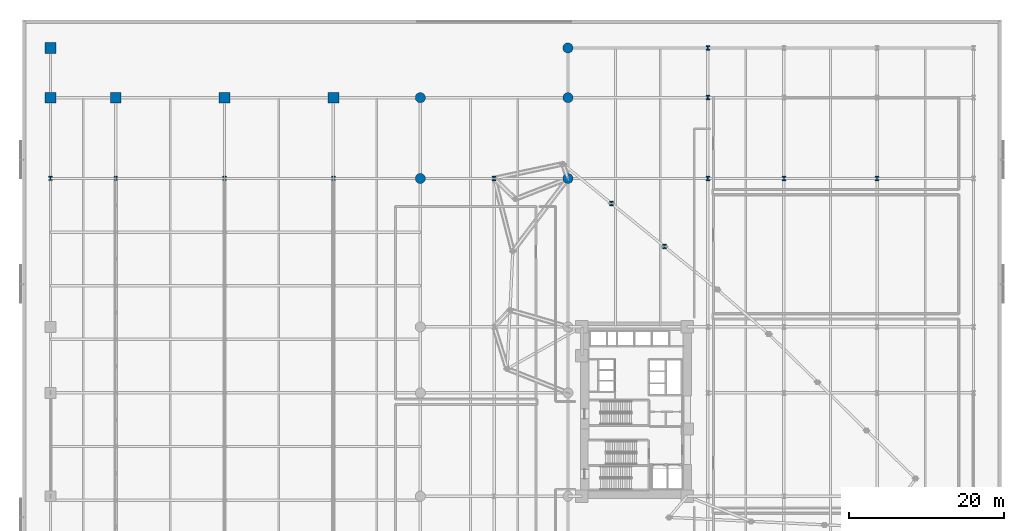
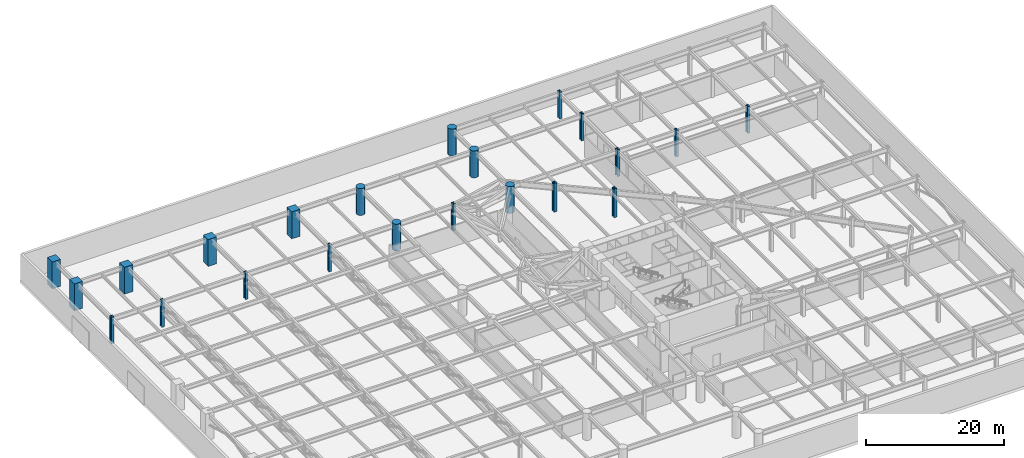
# One storey, part 3 of 40: 22 columns.
"""IFC4 building model written with IfcOpenShell, lengths in metres."""

from ifc_helpers import new_model, si_unit, direction, frame, origin, origin_2d, place, context, subcontext, project, spatial, rectangle, circle, i_section, extrude, material, material_profile, profile_set, type_object, element, save


model = new_model("IFC4")

# Units and contexts
model_context = context("Model", 3, precision=1e-05, world=origin(), true_north=direction((0.0, 1.0)))
body_context = subcontext(model_context, "Body", "Model", "MODEL_VIEW")
ifc_project = project(units=[si_unit("LENGTHUNIT", "METRE"), si_unit("AREAUNIT", "SQUARE_METRE"), si_unit("VOLUMEUNIT", "CUBIC_METRE"), si_unit("PLANEANGLEUNIT", "RADIAN"), si_unit("MASSUNIT", "GRAM", prefix="KILO")], contexts=[model_context])

# Site, building, storey
site_placement = place(None, origin())
site = spatial("IfcSite", under=ifc_project, at=site_placement, CompositionType="ELEMENT")
building_placement = place(site_placement, origin())
building = spatial("IfcBuilding", under=site, at=building_placement, Name="Narakoshi Arena Tower", CompositionType="ELEMENT")
storey_placement = place(building_placement, frame((0.0, 0.0, 21.60009765625)))
storey = spatial("IfcBuildingStorey", under=building, at=storey_placement, Name="L05", CompositionType="ELEMENT", Elevation=21.60009765625)

# Columns
ifc_material_1 = material(Name="Concrete C60/75", Category="concrete")
ifc_material_profile_1 = material_profile(ifc_material_1, circle(Radius=0.64990234375, at=origin_2d()), Name="RCC1300")
ifc_profile_set_1 = profile_set([ifc_material_profile_1], Name="Concrete C60/75")
column_type_1 = type_object("IfcColumnType", Name="COL-CIR1300", PredefinedType="PILASTER", material=ifc_profile_set_1)
for number, where, z_axis, x_axis, name in (
    (1, (51.199951171875, 75.60009765625, 0.0), (0.0, 0.0, 1.0), (1.0, 0.0, 0.0), "L05 Podium Column PC27"),
    (2, (51.199951171875, 86.0, 0.0), (0.0, 0.0, 1.0), (1.0, 0.0, 0.0), "L05 Podium Column PC28"),
    (3, (70.199951171875, 75.60009765625, 0.0), (0.0, 0.0, 1.0), (1.0, 0.0, 0.0), "L05 Podium Column PC39"),
    (4, (70.199951171875, 86.0, 0.0), (0.0, 0.0, 1.0), (1.0, 0.0, 0.0), "L05 Podium Column PC40"),
    (5, (70.199951171875, 92.39990234375, 0.0), (0.0, 0.0, 1.0), (1.0, 0.0, 0.0), "L05 Podium Column PC41"),
):
    element("IfcColumn", number, at=place(storey_placement, frame(where, z_axis=z_axis, x_axis=x_axis)), inside=storey, type_object=column_type_1, Name=name, PredefinedType="PILASTER", context=body_context, shape_type="SweptSolid", body=[
        extrude(circle(Radius=0.64990234375, at=origin_2d()), origin(), (0.0, 0.0, 1.0), 4.75),
    ])
ifc_material_profile_2 = material_profile(ifc_material_1, rectangle(XDim=1.39990234375, YDim=1.39990234375, at=origin_2d()), Name="RC1400x1400")
ifc_profile_set_2 = profile_set([ifc_material_profile_2], Name="Concrete C60/75")
column_type_2 = type_object("IfcColumnType", Name="COL-RC1400", PredefinedType="COLUMN", material=ifc_profile_set_2)
for number, where, z_axis, x_axis, name in (
    (6, (3.60009765625, 86.0, 0.0), (0.0, 0.0, 1.0), (1.0, 0.0, 0.0), "L05 Podium Column PC08"),
    (7, (3.60009765625, 92.39990234375, 0.0), (0.0, 0.0, 1.0), (1.0, 0.0, 0.0), "L05 Podium Column PC09"),
    (8, (12.0, 86.0, 0.0), (0.0, 0.0, 1.0), (1.0, 0.0, 0.0), "L05 Podium Column PC13"),
    (9, (26.0, 86.0, 0.0), (0.0, 0.0, 1.0), (1.0, 0.0, 0.0), "L05 Podium Column PC17"),
    (10, (40.0, 86.0, 0.0), (0.0, 0.0, 1.0), (1.0, 0.0, 0.0), "L05 Podium Column PC21"),
):
    element("IfcColumn", number, at=place(storey_placement, frame(where, z_axis=z_axis, x_axis=x_axis)), inside=storey, type_object=column_type_2, Name=name, PredefinedType="COLUMN", context=body_context, shape_type="SweptSolid", body=[
        extrude(rectangle(XDim=1.39990234375, YDim=1.39990234375, at=origin_2d()), origin(), (0.0, 0.0, 1.0), 4.75),
    ])
ifc_material_2 = material(Name="Structural steel S355J2", Category="steel")
ifc_material_profile_3 = material_profile(ifc_material_2, i_section(OverallWidth=0.4541015625, OverallDepth=0.569091796875, WebThickness=0.077880859375, FlangeThickness=0.125, FilletRadius=0.014892578125, at=origin_2d()), Name="HD400x1086")
ifc_profile_set_3 = profile_set([ifc_material_profile_3], Name="Structural steel S355J2")
column_type_3 = type_object("IfcColumnType", Name="COL-STL1086", PredefinedType="COLUMN", material=ifc_profile_set_3)
for number, where, z_axis, x_axis, name in (
    (11, (60.699951171875, 75.60009765625, 0.0), (0.0, 0.0, 1.0), (1.0, 0.0, 0.0), "L05 Podium Column PC32"),
    (12, (88.199951171875, 75.60009765625, 0.0), (0.0, 0.0, 1.0), (1.0, 0.0, 0.0), "L05 Podium Column PC48"),
    (13, (88.199951171875, 86.0, 0.0), (0.0, 0.0, 1.0), (1.0, 0.0, 0.0), "L05 Podium Column PC49"),
    (14, (88.199951171875, 92.39990234375, 0.0), (0.0, 0.0, 1.0), (1.0, 0.0, 0.0), "L05 Podium Column PC50"),
    (15, (98.0, 75.60009765625, 0.0), (0.0, 0.0, 1.0), (1.0, 0.0, 0.0), "L05 Podium Column PC57"),
    (16, (110.0, 75.60009765625, 0.0), (0.0, 0.0, 1.0), (1.0, 0.0, 0.0), "L05 Podium Column PC66"),
):
    element("IfcColumn", number, at=place(storey_placement, frame(where, z_axis=z_axis, x_axis=x_axis)), inside=storey, type_object=column_type_3, Name=name, PredefinedType="COLUMN", context=body_context, shape_type="SweptSolid", body=[
        extrude(i_section(OverallWidth=0.4541015625, OverallDepth=0.569091796875, WebThickness=0.077880859375, FlangeThickness=0.125, FilletRadius=0.014892578125, at=origin_2d()), origin(), (0.0, 0.0, 1.0), 4.75),
    ])
for number, where, z_axis, x_axis, name in (
    (17, (82.626953125, 66.838623046875, 0.0), (0.0, 0.0, 1.0), (1.0, 0.0, 0.0), "L05 Tower Plumb Pier B1P10"),
    (18, (75.794189453125, 72.392333984375, 0.0), (0.0, 0.0, 1.0), (1.0, 0.0, 0.0), "L05 Tower Plumb Pier B1P11"),
):
    element("IfcColumn", number, at=place(storey_placement, frame(where, z_axis=z_axis, x_axis=x_axis)), inside=storey, type_object=column_type_3, Name=name, PredefinedType="COLUMN", context=body_context, shape_type="SweptSolid", body=[
        extrude(i_section(OverallWidth=0.4541015625, OverallDepth=0.569091796875, WebThickness=0.077880859375, FlangeThickness=0.125, FilletRadius=0.014892578125, at=origin_2d()), origin(), (0.0, 0.0, 1.0), 5.099853515625),
    ])
ifc_material_profile_4 = material_profile(ifc_material_2, i_section(OverallWidth=0.43701171875, OverallDepth=0.513916015625, WebThickness=0.060546875, FlangeThickness=0.096923828125, FilletRadius=0.014892578125, at=origin_2d()), Name="HD400x818")
ifc_profile_set_4 = profile_set([ifc_material_profile_4], Name="Structural steel S355J2")
column_type_4 = type_object("IfcColumnType", Name="COL-STL818", PredefinedType="COLUMN", material=ifc_profile_set_4)
for number, where, z_axis, x_axis, name in (
    (19, (3.60009765625, 75.60009765625, 0.0), (0.0, 0.0, 1.0), (1.0, 0.0, 0.0), "L05 Podium Column PC07"),
    (20, (12.0, 75.60009765625, 0.0), (0.0, 0.0, 1.0), (1.0, 0.0, 0.0), "L05 Podium Column PC12"),
    (21, (26.0, 75.60009765625, 0.0), (0.0, 0.0, 1.0), (1.0, 0.0, 0.0), "L05 Podium Column PC16"),
    (22, (40.0, 75.60009765625, 0.0), (0.0, 0.0, 1.0), (1.0, 0.0, 0.0), "L05 Podium Column PC20"),
):
    element("IfcColumn", number, at=place(storey_placement, frame(where, z_axis=z_axis, x_axis=x_axis)), inside=storey, type_object=column_type_4, Name=name, PredefinedType="COLUMN", context=body_context, shape_type="SweptSolid", body=[
        extrude(i_section(OverallWidth=0.43701171875, OverallDepth=0.513916015625, WebThickness=0.060546875, FlangeThickness=0.096923828125, FilletRadius=0.014892578125, at=origin_2d()), origin(), (0.0, 0.0, 1.0), 4.75),
    ])

save(model, "model.ifc")
